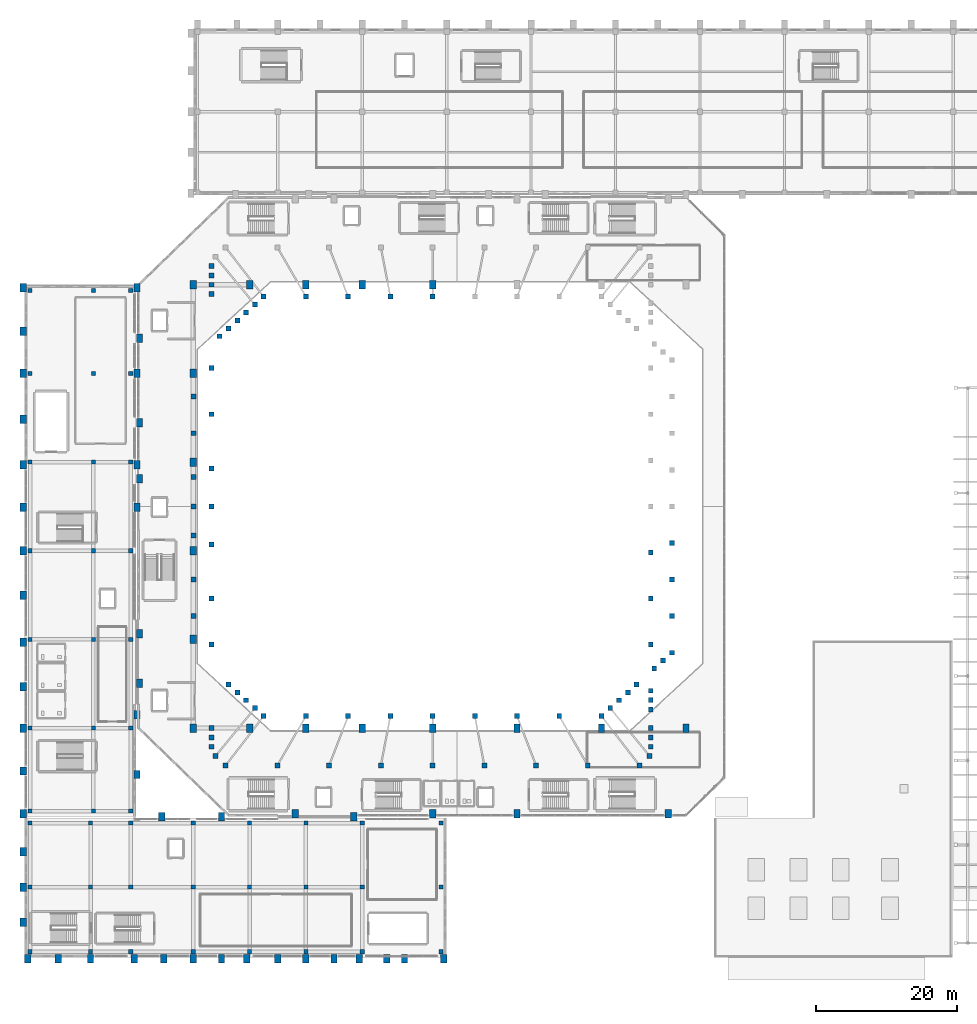
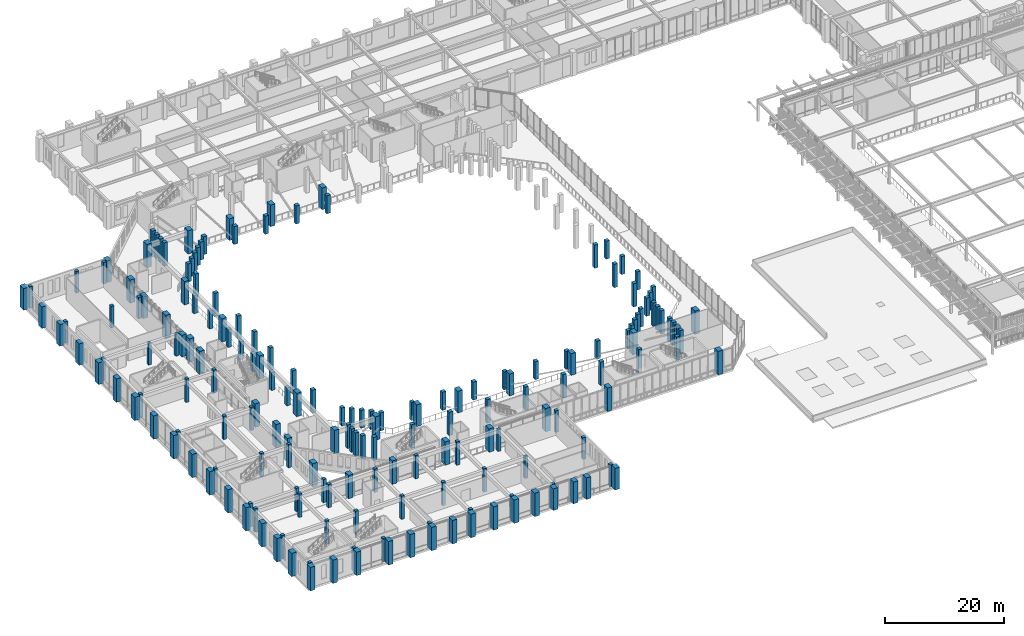
# One storey, part 1 of 126: 185 columns.
"""IFC4 building model written with IfcOpenShell, lengths in metres."""

import ifcopenshell
import ifcopenshell.guid

model = None  # the IFC model being written
_history = None  # IfcOwnerHistory: only IFC2X3 demands one
_inside = {}  # id of a spatial element -> (the spatial element, [elements in it])
_under = {}  # id of a project, library or spatial element -> (it, [spatial elements below it])
_declared = {}  # id of a project -> (the project, [libraries it declares])
_typed = {}  # id of a type object -> (the type object, [elements of that type])
_made_of = {}  # id of a material, layer set ... -> (it, [elements and type objects made of it])


def new_model(schema):
    """Start an empty IFC model of exactly this schema.

    Asked for "IFC4X3", IfcOpenShell would pick the latest addendum, in which some entities
    have other attributes; the version numbers below select the first issue.
    IFC2X3 requires an IfcOwnerHistory on every rooted entity: one is made here for all.
    """
    global model, _history
    if schema == "IFC4X3":
        model = ifcopenshell.file(schema_version=(4, 3, 0, 0))
    else:
        model = ifcopenshell.file(schema=schema)
    _inside.clear()
    _under.clear()
    _declared.clear()
    _typed.clear()
    _made_of.clear()
    _history = None
    if model.schema == "IFC2X3":
        org = make("IfcOrganization", Name="unknown")
        user = make(
            "IfcPersonAndOrganization",
            ThePerson=make("IfcPerson", FamilyName="unknown"),
            TheOrganization=org,
        )
        app = make(
            "IfcApplication",
            ApplicationDeveloper=org,
            Version="unknown",
            ApplicationFullName="unknown",
            ApplicationIdentifier="unknown",
        )
        _history = make(
            "IfcOwnerHistory",
            OwningUser=user,
            OwningApplication=app,
            ChangeAction="ADDED",
            CreationDate=0,
        )
    return model


def make(cls, **values):
    """One entity of the class cls with the attributes given. An attribute that is None is left unset."""
    return model.create_entity(
        cls, **{name: value for name, value in values.items() if value is not None}
    )


def rooted(cls, **values):
    """An entity with a GlobalId (a new one), such as an element, a storey or a relation."""
    return make(cls, GlobalId=ifcopenshell.guid.new(), OwnerHistory=_history, **values)


def si_unit(unit_type, name, prefix=None):
    """IfcSIUnit, for example si_unit("LENGTHUNIT", "METRE", prefix="MILLI")."""
    return make("IfcSIUnit", UnitType=unit_type, Prefix=prefix, Name=name)


def derived_unit(unit_type, elements):
    """IfcDerivedUnit: a product of units, each with its exponent."""
    return make(
        "IfcDerivedUnit",
        Elements=[
            make("IfcDerivedUnitElement", Unit=unit, Exponent=power)
            for unit, power in elements
        ],
        UnitType=unit_type,
    )


def assignment(units):
    """IfcUnitAssignment: the units of a project."""
    return None if units is None else make("IfcUnitAssignment", Units=units)


def point(xyz):
    """IfcCartesianPoint."""
    return None if xyz is None else make("IfcCartesianPoint", Coordinates=xyz)


def direction(xyz):
    """IfcDirection."""
    return None if xyz is None else make("IfcDirection", DirectionRatios=xyz)


def frame(location, z_axis=None, x_axis=None):
    """IfcAxis2Placement3D, a coordinate frame: its origin and axes. An axis left out is left unset."""
    return make(
        "IfcAxis2Placement3D",
        Location=point(location),
        Axis=direction(z_axis),
        RefDirection=direction(x_axis),
    )


def frame_2d(location, x_axis=None):
    """IfcAxis2Placement2D, a coordinate frame in the plane: its origin and x axis."""
    return make(
        "IfcAxis2Placement2D", Location=point(location), RefDirection=direction(x_axis)
    )


def origin():
    """The frame at (0, 0, 0) with its axes left unset."""
    return frame((0.0, 0.0, 0.0))


def origin_2d():
    """The frame at (0, 0) in the plane with its x axis left unset."""
    return frame_2d((0.0, 0.0))


def place(relative_to, where):
    """IfcLocalPlacement: puts the frame where relative to a parent placement (None: the world)."""
    return make(
        "IfcLocalPlacement", PlacementRelTo=relative_to, RelativePlacement=where
    )


def context(
    kind, dimensions, precision=None, world=None, true_north=None, identifier=None
):
    """IfcGeometricRepresentationContext, for example the 3D "Model" context."""
    return make(
        "IfcGeometricRepresentationContext",
        ContextIdentifier=identifier,
        ContextType=kind,
        CoordinateSpaceDimension=dimensions,
        Precision=precision,
        WorldCoordinateSystem=world,
        TrueNorth=true_north,
    )


def subcontext(parent, identifier, kind, view, scale=None):
    """IfcGeometricRepresentationSubContext, for example "Body" below "Model"."""
    return make(
        "IfcGeometricRepresentationSubContext",
        ContextIdentifier=identifier,
        ContextType=kind,
        ParentContext=parent,
        TargetScale=scale,
        TargetView=view,
    )


def project(units=None, contexts=None):
    """IfcProject with its units and contexts."""
    return rooted(
        "IfcProject",
        Name="project",
        RepresentationContexts=contexts,
        UnitsInContext=assignment(units),
    )


def spatial(cls, under=None, at=None, **own):
    """A site, building, storey or space (cls), placed at a placement, below another one or the project."""
    s = rooted(cls, ObjectPlacement=at, **own)
    if under is not None:
        _under.setdefault(under.id(), (under, []))[1].append(s)
    return s


def profile(cls, at=None, kind="AREA", **sizes):
    """A parametric profile (cls). Its sizes go by their IFC names, for example OverallWidth=200.0."""
    return make(cls, ProfileType=kind, Position=at, **sizes)


def rectangle(**sizes):
    """IfcRectangleProfileDef."""
    return profile("IfcRectangleProfileDef", **sizes)


def extrude(swept, where, along, depth):
    """IfcExtrudedAreaSolid: the profile swept, set in the frame where, extruded along a direction by depth."""
    return make(
        "IfcExtrudedAreaSolid",
        SweptArea=swept,
        Position=where,
        ExtrudedDirection=direction(along),
        Depth=depth,
    )


def shape(context_of_items, identifier, shape_type, items):
    """IfcShapeRepresentation: the items that make up one representation, for example the "Body"."""
    return make(
        "IfcShapeRepresentation",
        ContextOfItems=context_of_items,
        RepresentationIdentifier=identifier,
        RepresentationType=shape_type,
        Items=items,
    )


def material(Name=None, Category=None):
    """IfcMaterial."""
    return make("IfcMaterial", Name=Name, Category=Category)


def material_profile(
    of_material, cross_section, Name=None, Category=None, Priority=None
):
    """IfcMaterialProfile: a cross section and its material."""
    return make(
        "IfcMaterialProfile",
        Name=Name,
        Material=of_material,
        Profile=cross_section,
        Priority=Priority,
        Category=Category,
    )


def profile_set(profiles, Name=None, composite=None):
    """IfcMaterialProfileSet."""
    return make(
        "IfcMaterialProfileSet",
        Name=Name,
        MaterialProfiles=profiles,
        CompositeProfile=composite,
    )


def made_of(thing, what):
    """Note that an element or type object is made of a material, layer set ...; save() writes the relation."""
    if what is not None:
        _made_of.setdefault(what.id(), (what, []))[1].append(thing)
    return thing


def type_object(cls, material=None, **own):
    """A type object (cls), such as IfcWallType, which elements share."""
    return made_of(rooted(cls, **own), material)


def element(
    cls,
    number,
    at=None,
    inside=None,
    cuts=None,
    type_object=None,
    material=None,
    context=None,
    identifier="Body",
    shape_type=None,
    held_by="IfcProductDefinitionShape",
    body=None,
    shapes=None,
    **own,
):
    """One element of the class cls, such as IfcWall. Its Tag is "e" and its number.

    at: its placement. inside: the storey or other place that contains it. cuts: it is an
    opening in that element (IfcRelVoidsElement). A single representation is given by context,
    identifier, shape_type and body (its items); several are given by shapes. held_by: the class
    of the entity that holds the representations. save() writes the other relations.
    """
    e = rooted(cls, Tag="e%d" % number, ObjectPlacement=at, **own)
    if body is not None:
        shapes = [shape(context, identifier, shape_type, body)]
    if shapes is not None:
        e.Representation = make(held_by, Representations=shapes)
    if inside is not None:
        _inside.setdefault(inside.id(), (inside, []))[1].append(e)
    if cuts is not None:
        rooted(
            "IfcRelVoidsElement", RelatingBuildingElement=cuts, RelatedOpeningElement=e
        )
    if type_object is not None:
        _typed.setdefault(type_object.id(), (type_object, []))[1].append(e)
    return made_of(e, material)


def aggregate(whole, parts):
    """IfcRelAggregates: a whole, such as a stair, and the parts it consists of."""
    return rooted("IfcRelAggregates", RelatingObject=whole, RelatedObjects=parts)


def save(model, path):
    """Write the relations noted so far, then the file.

    IfcRelAggregates (storeys below a building ...), IfcRelContainedInSpatialStructure (elements
    in a storey), IfcRelDefinesByType, IfcRelAssociatesMaterial and IfcRelDeclares: one each for
    every whole, place, type object, material and project.
    """
    for whole, parts in _under.values():
        aggregate(whole, parts)
    for where, things in _inside.values():
        rooted(
            "IfcRelContainedInSpatialStructure",
            RelatedElements=things,
            RelatingStructure=where,
        )
    for kind, things in _typed.values():
        rooted("IfcRelDefinesByType", RelatedObjects=things, RelatingType=kind)
    for what, things in _made_of.values():
        rooted("IfcRelAssociatesMaterial", RelatedObjects=things, RelatingMaterial=what)
    for by, libraries in _declared.values():
        rooted("IfcRelDeclares", RelatingContext=by, RelatedDefinitions=libraries)
    model.write(path)


model = new_model("IFC4")

# Units and contexts
model_context = context("Model", 3, precision=1e-05, world=origin(), true_north=direction((0.0, 1.0)))
body_context = subcontext(model_context, "Body", "Model", "MODEL_VIEW")
ifc_project = project(units=[si_unit("LENGTHUNIT", "METRE"), si_unit("AREAUNIT", "SQUARE_METRE"), si_unit("VOLUMEUNIT", "CUBIC_METRE"), si_unit("PLANEANGLEUNIT", "RADIAN"), si_unit("MASSUNIT", "GRAM", prefix="KILO"), derived_unit("THERMALTRANSMITTANCEUNIT", [(si_unit("MASSUNIT", "GRAM", prefix="KILO"), 1), (si_unit("TIMEUNIT", "SECOND"), -3), (si_unit("THERMODYNAMICTEMPERATUREUNIT", "KELVIN"), -1)])], contexts=[model_context])

# Site, building, storey
site_placement = place(None, origin())
site = spatial("IfcSite", under=ifc_project, at=site_placement, CompositionType="ELEMENT")
building_placement = place(site_placement, origin())
building = spatial("IfcBuilding", under=site, at=building_placement, Name="Valcora Ridge Arena", CompositionType="ELEMENT")
storey_placement = place(building_placement, frame((0.0, 0.0, 11.39990234375)))
storey = spatial("IfcBuildingStorey", under=building, at=storey_placement, Name="L02", CompositionType="ELEMENT", Elevation=11.39990234375)

# Columns
ifc_material_1 = material(Name="Bush-hammered Andean travertine architectural concrete C45/55", Category="masonry")
ifc_material_profile_1 = material_profile(ifc_material_1, rectangle(XDim=0.89990234375, YDim=1.199951171875, at=origin_2d()), Name="RC 900x1200")
ifc_profile_set_1 = profile_set([ifc_material_profile_1], Name="Bush-hammered Andean travertine architectural concrete C45/55")
column_type_1 = type_object("IfcColumnType", Name="TY-COLUMN-C-BUTT-1200", PredefinedType="PILASTER", material=ifc_profile_set_1)
for number, where, z_axis, x_axis, name in (
    (1, (38.5, 20.39990234375, 0.0), (0.0, 0.0, 1.0), (1.0, 0.0, 0.0), "C-BUTT-1200 COL-C-BUTT-1200-0004"),
    (2, (58.0, 20.39990234375, 0.0), (0.0, 0.0, 1.0), (1.0, 0.0, 0.0), "C-BUTT-1200 COL-C-BUTT-1200-0008"),
    (3, (70.0, 20.39990234375, 0.0), (0.0, 0.0, 1.0), (1.0, 0.0, 0.0), "C-BUTT-1200 COL-C-BUTT-1200-0012"),
    (4, (91.5, 20.39990234375, 0.0), (0.0, 0.0, 1.0), (1.0, 0.0, 0.0), "C-BUTT-1200 COL-C-BUTT-1200-0016"),
    (5, (16.35009765625, 39.0, 0.0), (0.0, 0.0, 1.0), (1.0, 0.0, 0.0), "C-BUTT-1200 COL-C-BUTT-1200-0036"),
    (6, (16.35009765625, 46.0, 0.0), (0.0, 0.0, 1.0), (1.0, 0.0, 0.0), "C-BUTT-1200 COL-C-BUTT-1200-0040"),
    (7, (16.35009765625, 68.0, 0.0), (0.0, 0.0, 1.0), (1.0, 0.0, 0.0), "C-BUTT-1200 COL-C-BUTT-1200-0044"),
    (8, (16.35009765625, 76.0, 0.0), (0.0, 0.0, 1.0), (1.0, 0.0, 0.0), "C-BUTT-1200 COL-C-BUTT-1200-0048"),
    (9, (16.35009765625, 88.0, 0.0), (0.0, 0.0, 1.0), (1.0, 0.0, 0.0), "C-BUTT-1200 COL-C-BUTT-1200-0052"),
    (10, (0.449951171875, -0.179931640625, 0.0), (0.0, 0.0, 1.0), (1.0, 0.0, 0.0), "C-BUTT-1200 COL-C-BUTT-1200-0055"),
    (11, (9.39990234375, -0.179931640625, 0.0), (0.0, 0.0, 1.0), (1.0, 0.0, 0.0), "C-BUTT-1200 COL-C-BUTT-1200-0058"),
    (12, (15.60009765625, -0.179931640625, 0.0), (0.0, 0.0, 1.0), (1.0, 0.0, 0.0), "C-BUTT-1200 COL-C-BUTT-1200-0061"),
    (13, (24.0, -0.179931640625, 0.0), (0.0, 0.0, 1.0), (1.0, 0.0, 0.0), "C-BUTT-1200 COL-C-BUTT-1200-0064"),
    (14, (31.60009765625, -0.179931640625, 0.0), (0.0, 0.0, 1.0), (1.0, 0.0, 0.0), "C-BUTT-1200 COL-C-BUTT-1200-0067"),
    (15, (40.0, -0.179931640625, 0.0), (0.0, 0.0, 1.0), (1.0, 0.0, 0.0), "C-BUTT-1200 COL-C-BUTT-1200-0070"),
):
    element("IfcColumn", number, at=place(storey_placement, frame(where, z_axis=z_axis, x_axis=x_axis)), inside=storey, type_object=column_type_1, Name=name, PredefinedType="PILASTER", context=body_context, shape_type="SweptSolid", body=[
        extrude(rectangle(XDim=0.89990234375, YDim=1.199951171875, at=origin_2d()), origin(), (0.0, 0.0, 1.0), 4.800048828125),
    ])
for number, where, z_axis, x_axis, name in (
    (16, (47.60009765625, -0.179931640625, 0.0), (0.0, 0.0, 1.0), (1.0, 0.0, 0.0), "C-BUTT-1200 COL-C-BUTT-1200-0073"),
    (17, (54.0, -0.179931640625, 0.0), (0.0, 0.0, 1.0), (1.0, 0.0, 0.0), "C-BUTT-1200 COL-C-BUTT-1200-0076"),
    (18, (59.60009765625, -0.179931640625, 0.0), (0.0, 0.0, 1.0), (1.0, 0.0, 0.0), "C-BUTT-1200 COL-C-BUTT-1200-0079"),
):
    element("IfcColumn", number, at=place(storey_placement, frame(where, z_axis=z_axis, x_axis=x_axis)), inside=storey, type_object=column_type_1, Name=name, PredefinedType="PILASTER", context=body_context, shape_type="SweptSolid", body=[
        extrude(rectangle(XDim=0.89990234375, YDim=1.199951171875, at=origin_2d()), origin(), (0.0, 0.0, 1.0), 4.440185546875),
    ])
for number, where, z_axis, x_axis, name in (
    (19, (-0.179931640625, 10.0, 0.0), (0.0, 0.0, 1.0), (1.0, 0.0, 0.0), "C-BUTT-1200 COL-C-BUTT-1200-0082"),
    (20, (-0.179931640625, 20.39990234375, 0.0), (0.0, 0.0, 1.0), (1.0, 0.0, 0.0), "C-BUTT-1200 COL-C-BUTT-1200-0085"),
    (21, (-0.179931640625, 32.60009765625, 0.0), (0.0, 0.0, 1.0), (1.0, 0.0, 0.0), "C-BUTT-1200 COL-C-BUTT-1200-0088"),
    (22, (-0.179931640625, 44.800048828125, 0.0), (0.0, 0.0, 1.0), (1.0, 0.0, 0.0), "C-BUTT-1200 COL-C-BUTT-1200-0091"),
    (23, (-0.179931640625, 57.800048828125, 0.0), (0.0, 0.0, 1.0), (1.0, 0.0, 0.0), "C-BUTT-1200 COL-C-BUTT-1200-0094"),
):
    element("IfcColumn", number, at=place(storey_placement, frame(where, z_axis=z_axis, x_axis=x_axis)), inside=storey, type_object=column_type_1, Name=name, PredefinedType="PILASTER", context=body_context, shape_type="SweptSolid", body=[
        extrude(rectangle(XDim=0.89990234375, YDim=1.199951171875, at=origin_2d()), origin(), (0.0, 0.0, 1.0), 4.800048828125),
    ])
column_1_placement = place(storey_placement, frame((-0.179931640625, 70.0, 0.0), z_axis=(0.0, 0.0, 1.0), x_axis=(1.0, 0.0, 0.0)))
element("IfcColumn", 24, at=column_1_placement, inside=storey, type_object=column_type_1, Name="C-BUTT-1200 COL-C-BUTT-1200-0097", PredefinedType="PILASTER", context=body_context, shape_type="SweptSolid", body=[
    extrude(rectangle(XDim=0.89990234375, YDim=1.199951171875, at=origin_2d()), origin(), (0.0, 0.0, 1.0), 4.4501953125),
])
for number, where, z_axis, x_axis, name in (
    (25, (-0.179931640625, 83.0, 0.0), (0.0, 0.0, 1.0), (1.0, 0.0, 0.0), "C-BUTT-1200 COL-C-BUTT-1200-0100"),
    (26, (-0.179931640625, 95.199951171875, 0.0), (0.0, 0.0, 1.0), (1.0, 0.0, 0.0), "C-BUTT-1200 COL-C-BUTT-1200-0103"),
):
    element("IfcColumn", number, at=place(storey_placement, frame(where, z_axis=z_axis, x_axis=x_axis)), inside=storey, type_object=column_type_1, Name=name, PredefinedType="PILASTER", context=body_context, shape_type="SweptSolid", body=[
        extrude(rectangle(XDim=0.89990234375, YDim=1.199951171875, at=origin_2d()), origin(), (0.0, 0.0, 1.0), 4.440185546875),
    ])
for number, where, z_axis, x_axis, name in (
    (27, (19.5, 20.0, 0.0), (0.0, 0.0, 1.0), (1.0, 0.0, 0.0), "C-BUTT-1200 COL-C-BUTT-1200-0106"),
    (28, (28.0, 20.0, 0.0), (0.0, 0.0, 1.0), (1.0, 0.0, 0.0), "C-BUTT-1200 COL-C-BUTT-1200-0109"),
    (29, (46.800048828125, 20.0, 0.0), (0.0, 0.0, 1.0), (1.0, 0.0, 0.0), "C-BUTT-1200 COL-C-BUTT-1200-0112"),
    (30, (16.0, 26.0, 0.0), (0.0, 0.0, 1.0), (1.0, 0.0, 0.0), "C-BUTT-1200 COL-C-BUTT-1200-0115"),
    (31, (16.0, 34.5, 0.0), (0.0, 0.0, 1.0), (1.0, 0.0, 0.0), "C-BUTT-1200 COL-C-BUTT-1200-0118"),
    (32, (16.0, 64.0, 0.0), (0.0, 0.0, 1.0), (1.0, 0.0, 0.0), "C-BUTT-1200 COL-C-BUTT-1200-0121"),
):
    element("IfcColumn", number, at=place(storey_placement, frame(where, z_axis=z_axis, x_axis=x_axis)), inside=storey, type_object=column_type_1, Name=name, PredefinedType="PILASTER", context=body_context, shape_type="SweptSolid", body=[
        extrude(rectangle(XDim=0.89990234375, YDim=1.199951171875, at=origin_2d()), origin(), (0.0, 0.0, 1.0), 4.800048828125),
    ])
column_2_placement = place(storey_placement, frame((16.0, 70.0, 0.0), z_axis=(0.0, 0.0, 1.0), x_axis=(1.0, 0.0, 0.0)))
element("IfcColumn", 33, at=column_2_placement, inside=storey, type_object=column_type_1, Name="C-BUTT-1200 COL-C-BUTT-1200-0124", PredefinedType="PILASTER", context=body_context, shape_type="SweptSolid", body=[
    extrude(rectangle(XDim=0.89990234375, YDim=1.199951171875, at=origin_2d()), origin(), (0.0, 0.0, 1.0), 4.4501953125),
])
for number, where, z_axis, x_axis, name in (
    (34, (16.0, 83.0, 0.0), (0.0, 0.0, 1.0), (1.0, 0.0, 0.0), "C-BUTT-1200 COL-C-BUTT-1200-0127"),
    (35, (16.0, 95.199951171875, 0.0), (0.0, 0.0, 1.0), (1.0, 0.0, 0.0), "C-BUTT-1200 COL-C-BUTT-1200-0130"),
):
    element("IfcColumn", number, at=place(storey_placement, frame(where, z_axis=z_axis, x_axis=x_axis)), inside=storey, type_object=column_type_1, Name=name, PredefinedType="PILASTER", context=body_context, shape_type="SweptSolid", body=[
        extrude(rectangle(XDim=0.89990234375, YDim=1.199951171875, at=origin_2d()), origin(), (0.0, 0.0, 1.0), 4.440185546875),
    ])
for number, where, z_axis, x_axis, name in (
    (36, (4.800048828125, -0.179931640625, 0.0), (0.0, 0.0, 1.0), (1.0, 0.0, 0.0), "C-BUTT-1200 COL-C-BUTT-1200-0391"),
    (37, (19.800048828125, -0.179931640625, 0.0), (0.0, 0.0, 1.0), (1.0, 0.0, 0.0), "C-BUTT-1200 COL-C-BUTT-1200-0394"),
    (38, (28.0, -0.179931640625, 0.0), (0.0, 0.0, 1.0), (1.0, 0.0, 0.0), "C-BUTT-1200 COL-C-BUTT-1200-0397"),
    (39, (36.0, -0.179931640625, 0.0), (0.0, 0.0, 1.0), (1.0, 0.0, 0.0), "C-BUTT-1200 COL-C-BUTT-1200-0400"),
    (40, (44.0, -0.179931640625, 0.0), (0.0, 0.0, 1.0), (1.0, 0.0, 0.0), "C-BUTT-1200 COL-C-BUTT-1200-0403"),
):
    element("IfcColumn", number, at=place(storey_placement, frame(where, z_axis=z_axis, x_axis=x_axis)), inside=storey, type_object=column_type_1, Name=name, PredefinedType="PILASTER", context=body_context, shape_type="SweptSolid", body=[
        extrude(rectangle(XDim=0.89990234375, YDim=1.199951171875, at=origin_2d()), origin(), (0.0, 0.0, 1.0), 4.800048828125),
    ])
column_3_placement = place(storey_placement, frame((51.5, -0.179931640625, 0.0), z_axis=(0.0, 0.0, 1.0), x_axis=(1.0, 0.0, 0.0)))
element("IfcColumn", 41, at=column_3_placement, inside=storey, type_object=column_type_1, Name="C-BUTT-1200 COL-C-BUTT-1200-0406", PredefinedType="PILASTER", context=body_context, shape_type="SweptSolid", body=[
    extrude(rectangle(XDim=0.89990234375, YDim=1.199951171875, at=origin_2d()), origin(), (0.0, 0.0, 1.0), 4.440185546875),
])
for number, where, z_axis, x_axis, name in (
    (42, (-0.179931640625, 5.0, 0.0), (0.0, 0.0, 1.0), (1.0, 0.0, 0.0), "C-BUTT-1200 COL-C-BUTT-1200-0409"),
    (43, (-0.179931640625, 15.0, 0.0), (0.0, 0.0, 1.0), (1.0, 0.0, 0.0), "C-BUTT-1200 COL-C-BUTT-1200-0412"),
    (44, (-0.179931640625, 26.5, 0.0), (0.0, 0.0, 1.0), (1.0, 0.0, 0.0), "C-BUTT-1200 COL-C-BUTT-1200-0415"),
    (45, (-0.179931640625, 38.5, 0.0), (0.0, 0.0, 1.0), (1.0, 0.0, 0.0), "C-BUTT-1200 COL-C-BUTT-1200-0418"),
    (46, (-0.179931640625, 51.5, 0.0), (0.0, 0.0, 1.0), (1.0, 0.0, 0.0), "C-BUTT-1200 COL-C-BUTT-1200-0421"),
    (47, (-0.179931640625, 64.0, 0.0), (0.0, 0.0, 1.0), (1.0, 0.0, 0.0), "C-BUTT-1200 COL-C-BUTT-1200-0424"),
):
    element("IfcColumn", number, at=place(storey_placement, frame(where, z_axis=z_axis, x_axis=x_axis)), inside=storey, type_object=column_type_1, Name=name, PredefinedType="PILASTER", context=body_context, shape_type="SweptSolid", body=[
        extrude(rectangle(XDim=0.89990234375, YDim=1.199951171875, at=origin_2d()), origin(), (0.0, 0.0, 1.0), 4.800048828125),
    ])
for number, where, z_axis, x_axis, name in (
    (48, (-0.179931640625, 76.5, 0.0), (0.0, 0.0, 1.0), (1.0, 0.0, 0.0), "C-BUTT-1200 COL-C-BUTT-1200-0427"),
    (49, (-0.179931640625, 89.0, 0.0), (0.0, 0.0, 1.0), (1.0, 0.0, 0.0), "C-BUTT-1200 COL-C-BUTT-1200-0430"),
):
    element("IfcColumn", number, at=place(storey_placement, frame(where, z_axis=z_axis, x_axis=x_axis)), inside=storey, type_object=column_type_1, Name=name, PredefinedType="PILASTER", context=body_context, shape_type="SweptSolid", body=[
        extrude(rectangle(XDim=0.89990234375, YDim=1.199951171875, at=origin_2d()), origin(), (0.0, 0.0, 1.0), 4.440185546875),
    ])
ifc_material_2 = material(Name="Concrete C40/50", Category="concrete")
ifc_material_profile_2 = material_profile(ifc_material_2, rectangle(XDim=0.60009765625, YDim=0.60009765625, at=origin_2d()), Name="RC 600x600")
ifc_profile_set_2 = profile_set([ifc_material_profile_2], Name="Concrete C40/50")
column_type_2 = type_object("IfcColumnType", Name="TY-COLUMN-C-RC600", PredefinedType="COLUMN", material=ifc_profile_set_2)
for number, where, z_axis, x_axis, name in (
    (50, (0.800048828125, 0.800048828125, 0.0), (0.0, 0.0, 1.0), (1.0, 0.0, 0.0), "C-RC600 COL-C-RC600-0001"),
    (51, (0.800048828125, 10.0, 0.0), (0.0, 0.0, 1.0), (1.0, 0.0, 0.0), "C-RC600 COL-C-RC600-0002"),
    (52, (0.800048828125, 19.10009765625, 0.0), (0.0, 0.0, 1.0), (1.0, 0.0, 0.0), "C-RC600 COL-C-RC600-0003"),
    (53, (9.39990234375, 0.800048828125, 0.0), (0.0, 0.0, 1.0), (1.0, 0.0, 0.0), "C-RC600 COL-C-RC600-0004"),
    (54, (9.39990234375, 10.0, 0.0), (0.0, 0.0, 1.0), (1.0, 0.0, 0.0), "C-RC600 COL-C-RC600-0005"),
    (55, (9.39990234375, 19.10009765625, 0.0), (0.0, 0.0, 1.0), (1.0, 0.0, 0.0), "C-RC600 COL-C-RC600-0006"),
    (56, (15.10009765625, 0.800048828125, 0.0), (0.0, 0.0, 1.0), (1.0, 0.0, 0.0), "C-RC600 COL-C-RC600-0007"),
    (57, (15.10009765625, 10.0, 0.0), (0.0, 0.0, 1.0), (1.0, 0.0, 0.0), "C-RC600 COL-C-RC600-0008"),
    (58, (15.10009765625, 19.10009765625, 0.0), (0.0, 0.0, 1.0), (1.0, 0.0, 0.0), "C-RC600 COL-C-RC600-0009"),
    (59, (24.0, 0.800048828125, 0.0), (0.0, 0.0, 1.0), (1.0, 0.0, 0.0), "C-RC600 COL-C-RC600-0010"),
    (60, (24.0, 10.0, 0.0), (0.0, 0.0, 1.0), (1.0, 0.0, 0.0), "C-RC600 COL-C-RC600-0011"),
    (61, (24.0, 19.10009765625, 0.0), (0.0, 0.0, 1.0), (1.0, 0.0, 0.0), "C-RC600 COL-C-RC600-0012"),
    (62, (32.0, 0.800048828125, 0.0), (0.0, 0.0, 1.0), (1.0, 0.0, 0.0), "C-RC600 COL-C-RC600-0013"),
    (63, (32.0, 10.0, 0.0), (0.0, 0.0, 1.0), (1.0, 0.0, 0.0), "C-RC600 COL-C-RC600-0014"),
    (64, (32.0, 19.10009765625, 0.0), (0.0, 0.0, 1.0), (1.0, 0.0, 0.0), "C-RC600 COL-C-RC600-0015"),
    (65, (40.0, 0.800048828125, 0.0), (0.0, 0.0, 1.0), (1.0, 0.0, 0.0), "C-RC600 COL-C-RC600-0016"),
    (66, (40.0, 10.0, 0.0), (0.0, 0.0, 1.0), (1.0, 0.0, 0.0), "C-RC600 COL-C-RC600-0017"),
    (67, (40.0, 19.10009765625, 0.0), (0.0, 0.0, 1.0), (1.0, 0.0, 0.0), "C-RC600 COL-C-RC600-0018"),
):
    element("IfcColumn", number, at=place(storey_placement, frame(where, z_axis=z_axis, x_axis=x_axis)), inside=storey, type_object=column_type_2, Name=name, PredefinedType="COLUMN", context=body_context, shape_type="SweptSolid", body=[
        extrude(rectangle(XDim=0.60009765625, YDim=0.60009765625, at=origin_2d()), origin(), (0.0, 0.0, 1.0), 4.800048828125),
    ])
for number, where, z_axis, x_axis, name in (
    (68, (48.0, 0.800048828125, 0.0), (0.0, 0.0, 1.0), (1.0, 0.0, 0.0), "C-RC600 COL-C-RC600-0019"),
    (69, (48.0, 10.0, 0.0), (0.0, 0.0, 1.0), (1.0, 0.0, 0.0), "C-RC600 COL-C-RC600-0020"),
    (70, (48.0, 19.10009765625, 0.0), (0.0, 0.0, 1.0), (1.0, 0.0, 0.0), "C-RC600 COL-C-RC600-0021"),
    (71, (59.199951171875, 0.800048828125, 0.0), (0.0, 0.0, 1.0), (1.0, 0.0, 0.0), "C-RC600 COL-C-RC600-0022"),
    (72, (59.199951171875, 10.0, 0.0), (0.0, 0.0, 1.0), (1.0, 0.0, 0.0), "C-RC600 COL-C-RC600-0023"),
    (73, (59.199951171875, 19.10009765625, 0.0), (0.0, 0.0, 1.0), (1.0, 0.0, 0.0), "C-RC600 COL-C-RC600-0024"),
):
    element("IfcColumn", number, at=place(storey_placement, frame(where, z_axis=z_axis, x_axis=x_axis)), inside=storey, type_object=column_type_2, Name=name, PredefinedType="COLUMN", context=body_context, shape_type="SweptSolid", body=[
        extrude(rectangle(XDim=0.60009765625, YDim=0.60009765625, at=origin_2d()), origin(), (0.0, 0.0, 1.0), 4.440185546875),
    ])
for number, where, z_axis, x_axis, name in (
    (74, (0.800048828125, 20.800048828125, 0.0), (0.0, 0.0, 1.0), (1.0, 0.0, 0.0), "C-RC600 COL-C-RC600-0025"),
    (75, (0.800048828125, 32.60009765625, 0.0), (0.0, 0.0, 1.0), (1.0, 0.0, 0.0), "C-RC600 COL-C-RC600-0026"),
    (76, (0.800048828125, 45.199951171875, 0.0), (0.0, 0.0, 1.0), (1.0, 0.0, 0.0), "C-RC600 COL-C-RC600-0027"),
    (77, (0.800048828125, 57.800048828125, 0.0), (0.0, 0.0, 1.0), (1.0, 0.0, 0.0), "C-RC600 COL-C-RC600-0028"),
):
    element("IfcColumn", number, at=place(storey_placement, frame(where, z_axis=z_axis, x_axis=x_axis)), inside=storey, type_object=column_type_2, Name=name, PredefinedType="COLUMN", context=body_context, shape_type="SweptSolid", body=[
        extrude(rectangle(XDim=0.60009765625, YDim=0.60009765625, at=origin_2d()), origin(), (0.0, 0.0, 1.0), 4.800048828125),
    ])
for number, where, z_axis, x_axis, name in (
    (78, (0.800048828125, 70.39990234375, 0.0), (0.0, 0.0, 1.0), (1.0, 0.0, 0.0), "C-RC600 COL-C-RC600-0029"),
    (79, (0.800048828125, 83.0, 0.0), (0.0, 0.0, 1.0), (1.0, 0.0, 0.0), "C-RC600 COL-C-RC600-0030"),
    (80, (0.800048828125, 94.800048828125, 0.0), (0.0, 0.0, 1.0), (1.0, 0.0, 0.0), "C-RC600 COL-C-RC600-0031"),
):
    element("IfcColumn", number, at=place(storey_placement, frame(where, z_axis=z_axis, x_axis=x_axis)), inside=storey, type_object=column_type_2, Name=name, PredefinedType="COLUMN", context=body_context, shape_type="SweptSolid", body=[
        extrude(rectangle(XDim=0.60009765625, YDim=0.60009765625, at=origin_2d()), origin(), (0.0, 0.0, 1.0), 4.440185546875),
    ])
for number, where, z_axis, x_axis, name in (
    (81, (9.800048828125, 20.800048828125, 0.0), (0.0, 0.0, 1.0), (1.0, 0.0, 0.0), "C-RC600 COL-C-RC600-0032"),
    (82, (9.800048828125, 32.60009765625, 0.0), (0.0, 0.0, 1.0), (1.0, 0.0, 0.0), "C-RC600 COL-C-RC600-0033"),
    (83, (9.800048828125, 45.199951171875, 0.0), (0.0, 0.0, 1.0), (1.0, 0.0, 0.0), "C-RC600 COL-C-RC600-0034"),
    (84, (9.800048828125, 57.800048828125, 0.0), (0.0, 0.0, 1.0), (1.0, 0.0, 0.0), "C-RC600 COL-C-RC600-0035"),
):
    element("IfcColumn", number, at=place(storey_placement, frame(where, z_axis=z_axis, x_axis=x_axis)), inside=storey, type_object=column_type_2, Name=name, PredefinedType="COLUMN", context=body_context, shape_type="SweptSolid", body=[
        extrude(rectangle(XDim=0.60009765625, YDim=0.60009765625, at=origin_2d()), origin(), (0.0, 0.0, 1.0), 4.800048828125),
    ])
for number, where, z_axis, x_axis, name in (
    (85, (9.800048828125, 70.39990234375, 0.0), (0.0, 0.0, 1.0), (1.0, 0.0, 0.0), "C-RC600 COL-C-RC600-0036"),
    (86, (9.800048828125, 83.0, 0.0), (0.0, 0.0, 1.0), (1.0, 0.0, 0.0), "C-RC600 COL-C-RC600-0037"),
    (87, (9.800048828125, 94.800048828125, 0.0), (0.0, 0.0, 1.0), (1.0, 0.0, 0.0), "C-RC600 COL-C-RC600-0038"),
):
    element("IfcColumn", number, at=place(storey_placement, frame(where, z_axis=z_axis, x_axis=x_axis)), inside=storey, type_object=column_type_2, Name=name, PredefinedType="COLUMN", context=body_context, shape_type="SweptSolid", body=[
        extrude(rectangle(XDim=0.60009765625, YDim=0.60009765625, at=origin_2d()), origin(), (0.0, 0.0, 1.0), 4.440185546875),
    ])
for number, where, z_axis, x_axis, name in (
    (88, (15.10009765625, 20.800048828125, 0.0), (0.0, 0.0, 1.0), (1.0, 0.0, 0.0), "C-RC600 COL-C-RC600-0039"),
    (89, (15.10009765625, 32.60009765625, 0.0), (0.0, 0.0, 1.0), (1.0, 0.0, 0.0), "C-RC600 COL-C-RC600-0040"),
    (90, (15.10009765625, 45.199951171875, 0.0), (0.0, 0.0, 1.0), (1.0, 0.0, 0.0), "C-RC600 COL-C-RC600-0041"),
    (91, (15.10009765625, 57.800048828125, 0.0), (0.0, 0.0, 1.0), (1.0, 0.0, 0.0), "C-RC600 COL-C-RC600-0042"),
):
    element("IfcColumn", number, at=place(storey_placement, frame(where, z_axis=z_axis, x_axis=x_axis)), inside=storey, type_object=column_type_2, Name=name, PredefinedType="COLUMN", context=body_context, shape_type="SweptSolid", body=[
        extrude(rectangle(XDim=0.60009765625, YDim=0.60009765625, at=origin_2d()), origin(), (0.0, 0.0, 1.0), 4.800048828125),
    ])
for number, where, z_axis, x_axis, name in (
    (92, (15.10009765625, 70.39990234375, 0.0), (0.0, 0.0, 1.0), (1.0, 0.0, 0.0), "C-RC600 COL-C-RC600-0043"),
    (93, (15.10009765625, 83.0, 0.0), (0.0, 0.0, 1.0), (1.0, 0.0, 0.0), "C-RC600 COL-C-RC600-0044"),
    (94, (15.10009765625, 94.800048828125, 0.0), (0.0, 0.0, 1.0), (1.0, 0.0, 0.0), "C-RC600 COL-C-RC600-0045"),
):
    element("IfcColumn", number, at=place(storey_placement, frame(where, z_axis=z_axis, x_axis=x_axis)), inside=storey, type_object=column_type_2, Name=name, PredefinedType="COLUMN", context=body_context, shape_type="SweptSolid", body=[
        extrude(rectangle(XDim=0.60009765625, YDim=0.60009765625, at=origin_2d()), origin(), (0.0, 0.0, 1.0), 4.440185546875),
    ])
ifc_material_profile_3 = material_profile(ifc_material_2, rectangle(XDim=0.89990234375, YDim=1.199951171875, at=origin_2d()), Name="RC 900x1200")
ifc_profile_set_3 = profile_set([ifc_material_profile_3], Name="Concrete C40/50")
column_type_3 = type_object("IfcColumnType", Name="TY-COLUMN-C-RC900", PredefinedType="COLUMN", material=ifc_profile_set_3)
for number, where, z_axis, x_axis, name in (
    (95, (24.0, 32.60009765625, 0.0), (0.0, 0.0, 1.0), (1.0, 0.0, 0.0), "C-RC900 COL-C-RC900-0002"),
    (96, (24.0, 45.199951171875, 0.0), (0.0, 0.0, 1.0), (1.0, 0.0, 0.0), "C-RC900 COL-C-RC900-0004"),
    (97, (24.0, 57.800048828125, 0.0), (0.0, 0.0, 1.0), (1.0, 0.0, 0.0), "C-RC900 COL-C-RC900-0006"),
    (98, (24.0, 70.39990234375, 0.0), (0.0, 0.0, 1.0), (1.0, 0.0, 0.0), "C-RC900 COL-C-RC900-0008"),
    (99, (24.0, 83.0, 0.0), (0.0, 0.0, 1.0), (1.0, 0.0, 0.0), "C-RC900 COL-C-RC900-0010"),
    (100, (24.0, 95.60009765625, 0.0), (0.0, 0.0, 1.0), (1.0, 0.0, 0.0), "C-RC900 COL-C-RC900-0012"),
    (101, (32.0, 32.60009765625, 0.0), (0.0, 0.0, 1.0), (1.0, 0.0, 0.0), "C-RC900 COL-C-RC900-0014"),
    (102, (32.0, 95.60009765625, 0.0), (0.0, 0.0, 1.0), (1.0, 0.0, 0.0), "C-RC900 COL-C-RC900-0016"),
):
    element("IfcColumn", number, at=place(storey_placement, frame(where, z_axis=z_axis, x_axis=x_axis)), inside=storey, type_object=column_type_3, Name=name, PredefinedType="COLUMN", context=body_context, shape_type="SweptSolid", body=[
        extrude(rectangle(XDim=0.89990234375, YDim=1.199951171875, at=origin_2d()), origin(), (0.0, 0.0, 1.0), 4.800048828125),
    ])
for number, where, z_axis, x_axis, name in (
    (103, (40.0, 32.60009765625, 0.0), (0.0, 0.0, 1.0), (1.0, 0.0, 0.0), "C-RC900 COL-C-RC900-0018"),
    (104, (40.0, 95.60009765625, 0.0), (0.0, 0.0, 1.0), (1.0, 0.0, 0.0), "C-RC900 COL-C-RC900-0020"),
    (105, (48.0, 32.60009765625, 0.0), (0.0, 0.0, 1.0), (1.0, 0.0, 0.0), "C-RC900 COL-C-RC900-0022"),
    (106, (48.0, 95.60009765625, 0.0), (0.0, 0.0, 1.0), (1.0, 0.0, 0.0), "C-RC900 COL-C-RC900-0024"),
    (107, (58.0, 32.60009765625, 0.0), (0.0, 0.0, 1.0), (1.0, 0.0, 0.0), "C-RC900 COL-C-RC900-0026"),
    (108, (58.0, 95.60009765625, 0.0), (0.0, 0.0, 1.0), (1.0, 0.0, 0.0), "C-RC900 COL-C-RC900-0028"),
    (109, (70.0, 32.60009765625, 0.0), (0.0, 0.0, 1.0), (1.0, 0.0, 0.0), "C-RC900 COL-C-RC900-0030"),
    (110, (82.0, 32.60009765625, 0.0), (0.0, 0.0, 1.0), (1.0, 0.0, 0.0), "C-RC900 COL-C-RC900-0034"),
):
    element("IfcColumn", number, at=place(storey_placement, frame(where, z_axis=z_axis, x_axis=x_axis)), inside=storey, type_object=column_type_3, Name=name, PredefinedType="COLUMN", context=body_context, shape_type="SweptSolid", body=[
        extrude(rectangle(XDim=0.89990234375, YDim=1.199951171875, at=origin_2d()), origin(), (0.0, 0.0, 1.0), 4.4501953125),
    ])
column_4_placement = place(storey_placement, frame((94.0, 32.60009765625, 0.0), z_axis=(0.0, 0.0, 1.0), x_axis=(1.0, 0.0, 0.0)))
element("IfcColumn", 111, at=column_4_placement, inside=storey, type_object=column_type_3, Name="C-RC900 COL-C-RC900-0038", PredefinedType="COLUMN", context=body_context, shape_type="SweptSolid", body=[
    extrude(rectangle(XDim=0.89990234375, YDim=1.199951171875, at=origin_2d()), origin(), (0.0, 0.0, 1.0), 4.800048828125),
])
ifc_material_profile_4 = material_profile(ifc_material_2, rectangle(XDim=0.699951171875, YDim=0.699951171875, at=origin_2d()), Name="RC 700x700")
ifc_profile_set_4 = profile_set([ifc_material_profile_4], Name="Concrete C40/50")
column_type_4 = type_object("IfcColumnType", Name="TY-COLUMN-C-RKRU700A", PredefinedType="COLUMN", material=ifc_profile_set_4)
for number, where, z_axis, x_axis, name in (
    (112, (34.0, 34.300048828125, 0.0), (0.0, 0.0, 1.0), (1.0, 0.0, 0.0), "C-RKRU700A COL-RK-C-RKRU700A-0001"),
    (113, (40.0, 34.300048828125, 0.0), (0.0, 0.0, 1.0), (1.0, 0.0, 0.0), "C-RKRU700A COL-RK-C-RKRU700A-0002"),
    (114, (46.0, 34.300048828125, 0.0), (0.0, 0.0, 1.0), (1.0, 0.0, 0.0), "C-RKRU700A COL-RK-C-RKRU700A-0003"),
    (115, (52.0, 34.300048828125, 0.0), (0.0, 0.0, 1.0), (1.0, 0.0, 0.0), "C-RKRU700A COL-RK-C-RKRU700A-0004"),
    (116, (58.0, 34.300048828125, 0.0), (0.0, 0.0, 1.0), (1.0, 0.0, 0.0), "C-RKRU700A COL-RK-C-RKRU700A-0005"),
    (117, (64.0, 34.300048828125, 0.0), (0.0, 0.0, 1.0), (1.0, 0.0, 0.0), "C-RKRU700A COL-RK-C-RKRU700A-0006"),
    (118, (70.0, 34.300048828125, 0.0), (0.0, 0.0, 1.0), (1.0, 0.0, 0.0), "C-RKRU700A COL-RK-C-RKRU700A-0007"),
    (119, (76.0, 34.300048828125, 0.0), (0.0, 0.0, 1.0), (1.0, 0.0, 0.0), "C-RKRU700A COL-RK-C-RKRU700A-0008"),
    (120, (82.0, 34.300048828125, 0.0), (0.0, 0.0, 1.0), (1.0, 0.0, 0.0), "C-RKRU700A COL-RK-C-RKRU700A-0009"),
    (121, (83.25, 35.425048828125, 0.0), (0.0, 0.0, 1.0), (1.0, 0.0, 0.0), "C-RKRU700A COL-RK-C-RKRU700A-0010"),
    (122, (84.5, 36.550048828125, 0.0), (0.0, 0.0, 1.0), (1.0, 0.0, 0.0), "C-RKRU700A COL-RK-C-RKRU700A-0011"),
    (123, (85.75, 37.675048828125, 0.0), (0.0, 0.0, 1.0), (1.0, 0.0, 0.0), "C-RKRU700A COL-RK-C-RKRU700A-0012"),
    (124, (87.0, 38.800048828125, 0.0), (0.0, 0.0, 1.0), (1.0, 0.0, 0.0), "C-RKRU700A COL-RK-C-RKRU700A-0013"),
    (125, (89.5, 41.050048828125, 0.0), (0.0, 0.0, 1.0), (1.0, 0.0, 0.0), "C-RKRU700A COL-RK-C-RKRU700A-0014"),
    (126, (90.75, 42.175048828125, 0.0), (0.0, 0.0, 1.0), (1.0, 0.0, 0.0), "C-RKRU700A COL-RK-C-RKRU700A-0015"),
    (127, (92.0, 43.300048828125, 0.0), (0.0, 0.0, 1.0), (1.0, 0.0, 0.0), "C-RKRU700A COL-RK-C-RKRU700A-0016"),
    (128, (92.0, 48.5, 0.0), (0.0, 0.0, 1.0), (1.0, 0.0, 0.0), "C-RKRU700A COL-RK-C-RKRU700A-0017"),
    (129, (92.0, 53.699951171875, 0.0), (0.0, 0.0, 1.0), (1.0, 0.0, 0.0), "C-RKRU700A COL-RK-C-RKRU700A-0018"),
    (130, (92.0, 58.89990234375, 0.0), (0.0, 0.0, 1.0), (1.0, 0.0, 0.0), "C-RKRU700A COL-RK-C-RKRU700A-0019"),
    (131, (58.0, 93.89990234375, 0.0), (0.0, 0.0, 1.0), (1.0, 0.0, 0.0), "C-RKRU700A COL-RK-C-RKRU700A-0035"),
    (132, (52.0, 93.89990234375, 0.0), (0.0, 0.0, 1.0), (1.0, 0.0, 0.0), "C-RKRU700A COL-RK-C-RKRU700A-0036"),
    (133, (46.0, 93.89990234375, 0.0), (0.0, 0.0, 1.0), (1.0, 0.0, 0.0), "C-RKRU700A COL-RK-C-RKRU700A-0037"),
    (134, (40.0, 93.89990234375, 0.0), (0.0, 0.0, 1.0), (1.0, 0.0, 0.0), "C-RKRU700A COL-RK-C-RKRU700A-0038"),
    (135, (34.0, 93.89990234375, 0.0), (0.0, 0.0, 1.0), (1.0, 0.0, 0.0), "C-RKRU700A COL-RK-C-RKRU700A-0039"),
    (136, (32.75, 92.77490234375, 0.0), (0.0, 0.0, 1.0), (1.0, 0.0, 0.0), "C-RKRU700A COL-RK-C-RKRU700A-0040"),
    (137, (31.5, 91.64990234375, 0.0), (0.0, 0.0, 1.0), (1.0, 0.0, 0.0), "C-RKRU700A COL-RK-C-RKRU700A-0041"),
    (138, (30.25, 90.52490234375, 0.0), (0.0, 0.0, 1.0), (1.0, 0.0, 0.0), "C-RKRU700A COL-RK-C-RKRU700A-0042"),
    (139, (29.0, 89.39990234375, 0.0), (0.0, 0.0, 1.0), (1.0, 0.0, 0.0), "C-RKRU700A COL-RK-C-RKRU700A-0043"),
    (140, (27.75, 88.27490234375, 0.0), (0.0, 0.0, 1.0), (1.0, 0.0, 0.0), "C-RKRU700A COL-RK-C-RKRU700A-0044"),
    (141, (24.0, 79.699951171875, 0.0), (0.0, 0.0, 1.0), (1.0, 0.0, 0.0), "C-RKRU700A COL-RK-C-RKRU700A-0045"),
    (142, (24.0, 74.5, 0.0), (0.0, 0.0, 1.0), (1.0, 0.0, 0.0), "C-RKRU700A COL-RK-C-RKRU700A-0046"),
    (143, (24.0, 64.10009765625, 0.0), (0.0, 0.0, 1.0), (1.0, 0.0, 0.0), "C-RKRU700A COL-RK-C-RKRU700A-0047"),
    (144, (24.0, 53.699951171875, 0.0), (0.0, 0.0, 1.0), (1.0, 0.0, 0.0), "C-RKRU700A COL-RK-C-RKRU700A-0048"),
    (145, (24.0, 48.5, 0.0), (0.0, 0.0, 1.0), (1.0, 0.0, 0.0), "C-RKRU700A COL-RK-C-RKRU700A-0049"),
    (146, (29.0, 38.800048828125, 0.0), (0.0, 0.0, 1.0), (1.0, 0.0, 0.0), "C-RKRU700A COL-RK-C-RKRU700A-0050"),
    (147, (30.25, 37.675048828125, 0.0), (0.0, 0.0, 1.0), (1.0, 0.0, 0.0), "C-RKRU700A COL-RK-C-RKRU700A-0051"),
    (148, (31.5, 36.550048828125, 0.0), (0.0, 0.0, 1.0), (1.0, 0.0, 0.0), "C-RKRU700A COL-RK-C-RKRU700A-0052"),
    (149, (32.75, 35.425048828125, 0.0), (0.0, 0.0, 1.0), (1.0, 0.0, 0.0), "C-RKRU700A COL-RK-C-RKRU700A-0053"),
    (150, (24.0, 68.25, 0.0), (0.0, 0.0, 1.0), (1.0, 0.0, 0.0), "C-RKRU700A COL-RKN-C-RKRU700A-0001"),
    (151, (24.0, 59.949951171875, 0.0), (0.0, 0.0, 1.0), (1.0, 0.0, 0.0), "C-RKRU700A COL-RKN-C-RKRU700A-0002"),
):
    element("IfcColumn", number, at=place(storey_placement, frame(where, z_axis=z_axis, x_axis=x_axis)), inside=storey, type_object=column_type_4, Name=name, PredefinedType="COLUMN", context=body_context, shape_type="SweptSolid", body=[
        extrude(rectangle(XDim=0.699951171875, YDim=0.699951171875, at=origin_2d()), origin(), (0.0, 0.0, 1.0), 3.7001953125),
    ])
ifc_material_profile_5 = material_profile(ifc_material_2, rectangle(XDim=0.699951171875, YDim=0.699951171875, at=origin_2d()), Name="RC 700x700")
ifc_profile_set_5 = profile_set([ifc_material_profile_5], Name="Concrete C40/50")
column_type_5 = type_object("IfcColumnType", Name="TY-COLUMN-C-RKRU700B", PredefinedType="COLUMN", material=ifc_profile_set_5)
for number, where, z_axis, x_axis, name in (
    (152, (28.60009765625, 27.300048828125, 0.0), (0.0, 0.0, 1.0), (1.0, 0.0, 0.0), "C-RKRU700B COL-RK-C-RKRU700B-0004"),
    (153, (35.949951171875, 27.300048828125, 0.0), (0.0, 0.0, 1.0), (1.0, 0.0, 0.0), "C-RKRU700B COL-RK-C-RKRU700B-0009"),
    (154, (43.300048828125, 27.300048828125, 0.0), (0.0, 0.0, 1.0), (1.0, 0.0, 0.0), "C-RKRU700B COL-RK-C-RKRU700B-0014"),
    (155, (50.64990234375, 27.300048828125, 0.0), (0.0, 0.0, 1.0), (1.0, 0.0, 0.0), "C-RKRU700B COL-RK-C-RKRU700B-0019"),
    (156, (58.0, 27.300048828125, 0.0), (0.0, 0.0, 1.0), (1.0, 0.0, 0.0), "C-RKRU700B COL-RK-C-RKRU700B-0024"),
    (157, (65.35009765625, 27.300048828125, 0.0), (0.0, 0.0, 1.0), (1.0, 0.0, 0.0), "C-RKRU700B COL-RK-C-RKRU700B-0029"),
    (158, (72.699951171875, 27.300048828125, 0.0), (0.0, 0.0, 1.0), (1.0, 0.0, 0.0), "C-RKRU700B COL-RK-C-RKRU700B-0034"),
    (159, (80.050048828125, 27.300048828125, 0.0), (0.0, 0.0, 1.0), (1.0, 0.0, 0.0), "C-RKRU700B COL-RK-C-RKRU700B-0039"),
    (160, (87.39990234375, 27.300048828125, 0.0), (0.0, 0.0, 1.0), (1.0, 0.0, 0.0), "C-RKRU700B COL-RK-C-RKRU700B-0044"),
    (161, (88.85009765625, 28.625, 0.0), (0.0, 0.0, 1.0), (1.0, 0.0, 0.0), "C-RKRU700B COL-RK-C-RKRU700B-0049"),
    (162, (89.0, 29.949951171875, 0.0), (0.0, 0.0, 1.0), (1.0, 0.0, 0.0), "C-RKRU700B COL-RK-C-RKRU700B-0054"),
    (163, (89.0, 31.27490234375, 0.0), (0.0, 0.0, 1.0), (1.0, 0.0, 0.0), "C-RKRU700B COL-RK-C-RKRU700B-0059"),
    (164, (89.0, 32.60009765625, 0.0), (0.0, 0.0, 1.0), (1.0, 0.0, 0.0), "C-RKRU700B COL-RK-C-RKRU700B-0064"),
    (165, (89.0, 35.25, 0.0), (0.0, 0.0, 1.0), (1.0, 0.0, 0.0), "C-RKRU700B COL-RK-C-RKRU700B-0069"),
    (166, (89.0, 36.574951171875, 0.0), (0.0, 0.0, 1.0), (1.0, 0.0, 0.0), "C-RKRU700B COL-RK-C-RKRU700B-0074"),
    (167, (89.0, 37.89990234375, 0.0), (0.0, 0.0, 1.0), (1.0, 0.0, 0.0), "C-RKRU700B COL-RK-C-RKRU700B-0079"),
    (168, (89.0, 44.449951171875, 0.0), (0.0, 0.0, 1.0), (1.0, 0.0, 0.0), "C-RKRU700B COL-RK-C-RKRU700B-0084"),
    (169, (89.0, 51.0, 0.0), (0.0, 0.0, 1.0), (1.0, 0.0, 0.0), "C-RKRU700B COL-RK-C-RKRU700B-0089"),
    (170, (89.0, 57.550048828125, 0.0), (0.0, 0.0, 1.0), (1.0, 0.0, 0.0), "C-RKRU700B COL-RK-C-RKRU700B-0094"),
    (171, (26.60009765625, 98.25, 0.0), (0.0, 0.0, 1.0), (1.0, 0.0, 0.0), "C-RKRU700B COL-RK-C-RKRU700B-0204"),
    (172, (26.60009765625, 96.925048828125, 0.0), (0.0, 0.0, 1.0), (1.0, 0.0, 0.0), "C-RKRU700B COL-RK-C-RKRU700B-0209"),
    (173, (26.60009765625, 95.60009765625, 0.0), (0.0, 0.0, 1.0), (1.0, 0.0, 0.0), "C-RKRU700B COL-RK-C-RKRU700B-0214"),
    (174, (26.60009765625, 94.27490234375, 0.0), (0.0, 0.0, 1.0), (1.0, 0.0, 0.0), "C-RKRU700B COL-RK-C-RKRU700B-0219"),
    (175, (26.60009765625, 83.75, 0.0), (0.0, 0.0, 1.0), (1.0, 0.0, 0.0), "C-RKRU700B COL-RK-C-RKRU700B-0224"),
    (176, (26.60009765625, 77.199951171875, 0.0), (0.0, 0.0, 1.0), (1.0, 0.0, 0.0), "C-RKRU700B COL-RK-C-RKRU700B-0229"),
    (177, (26.60009765625, 64.10009765625, 0.0), (0.0, 0.0, 1.0), (1.0, 0.0, 0.0), "C-RKRU700B COL-RK-C-RKRU700B-0234"),
    (178, (26.60009765625, 51.0, 0.0), (0.0, 0.0, 1.0), (1.0, 0.0, 0.0), "C-RKRU700B COL-RK-C-RKRU700B-0239"),
    (179, (26.60009765625, 44.449951171875, 0.0), (0.0, 0.0, 1.0), (1.0, 0.0, 0.0), "C-RKRU700B COL-RK-C-RKRU700B-0244"),
    (180, (26.60009765625, 32.60009765625, 0.0), (0.0, 0.0, 1.0), (1.0, 0.0, 0.0), "C-RKRU700B COL-RK-C-RKRU700B-0249"),
    (181, (26.60009765625, 31.27490234375, 0.0), (0.0, 0.0, 1.0), (1.0, 0.0, 0.0), "C-RKRU700B COL-RK-C-RKRU700B-0254"),
    (182, (26.60009765625, 29.949951171875, 0.0), (0.0, 0.0, 1.0), (1.0, 0.0, 0.0), "C-RKRU700B COL-RK-C-RKRU700B-0259"),
    (183, (27.14990234375, 28.625, 0.0), (0.0, 0.0, 1.0), (1.0, 0.0, 0.0), "C-RKRU700B COL-RK-C-RKRU700B-0264"),
    (184, (26.60009765625, 69.489990234375, 0.0), (0.0, 0.0, 1.0), (1.0, 0.0, 0.0), "C-RKRU700B COL-RKN-C-RKRU700B-0004"),
    (185, (26.60009765625, 58.7099609375, 0.0), (0.0, 0.0, 1.0), (1.0, 0.0, 0.0), "C-RKRU700B COL-RKN-C-RKRU700B-0009"),
):
    element("IfcColumn", number, at=place(storey_placement, frame(where, z_axis=z_axis, x_axis=x_axis)), inside=storey, type_object=column_type_5, Name=name, PredefinedType="COLUMN", context=body_context, shape_type="SweptSolid", body=[
        extrude(rectangle(XDim=0.699951171875, YDim=0.699951171875, at=origin_2d()), origin(), (0.0, 0.0, 1.0), 4.800048828125),
    ])

save(model, "model.ifc")
